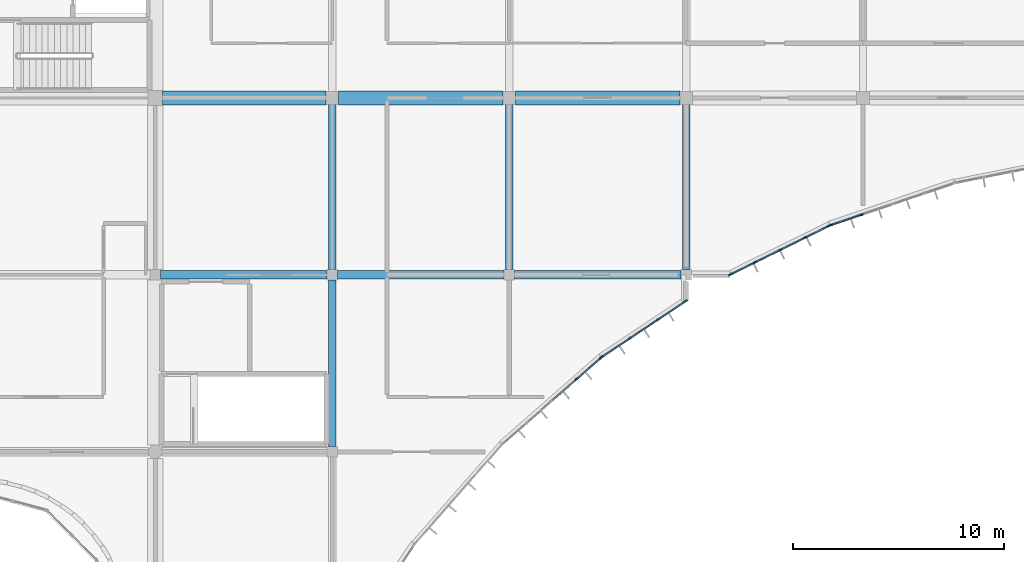
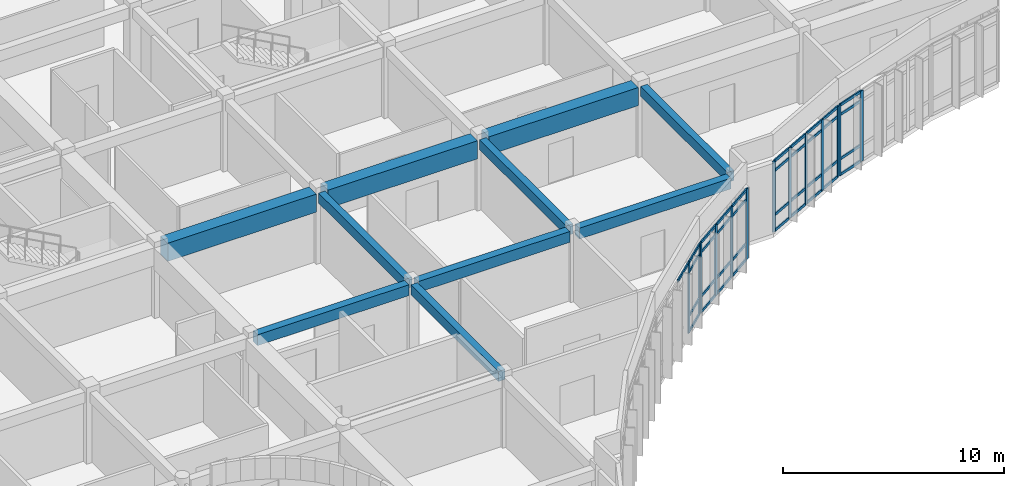
# One storey, part 50 of 119: 50 members, 10 beams, 4 elements without a shape of their own.
"""IFC4 building model written with IfcOpenShell, lengths in metres."""

from ifc_helpers import new_model, si_unit, direction, frame, origin, origin_2d, place, context, subcontext, project, spatial, rectangle, extrude, material, layer, layer_set, material_profile, profile_set, type_object, element, aggregate, save


model = new_model("IFC4")

# Units and contexts
model_context = context("Model", 3, precision=1e-05, world=origin(), true_north=direction((0.0, 1.0)))
body_context = subcontext(model_context, "Body", "Model", "MODEL_VIEW")
ifc_project = project(units=[si_unit("LENGTHUNIT", "METRE"), si_unit("AREAUNIT", "SQUARE_METRE"), si_unit("VOLUMEUNIT", "CUBIC_METRE"), si_unit("PLANEANGLEUNIT", "RADIAN"), si_unit("MASSUNIT", "GRAM", prefix="KILO")], contexts=[model_context])

# Site, building, storey
site_placement = place(None, origin())
site = spatial("IfcSite", under=ifc_project, at=site_placement, CompositionType="ELEMENT")
building_placement = place(site_placement, origin())
building = spatial("IfcBuilding", under=site, at=building_placement, Name="Bramfleet General Hospital", CompositionType="ELEMENT")
storey_placement = place(building_placement, frame((0.0, 0.0, 14.39990234375)))
storey = spatial("IfcBuildingStorey", under=building, at=storey_placement, Name="L03", CompositionType="ELEMENT", Elevation=14.39990234375)

# Beams
ifc_material_1 = material(Name="Concrete C35/45", Category="concrete")
ifc_material_profile_1 = material_profile(ifc_material_1, rectangle(XDim=0.35009765625, YDim=0.550048828125, at=origin_2d()), Name="RC BM 550x350")
ifc_profile_set_1 = profile_set([ifc_material_profile_1], Name="Concrete C35/45")
beam_type_1 = type_object("IfcBeamType", Name="BM-RC550", PredefinedType="BEAM", material=ifc_profile_set_1)
beam_1_placement = place(storey_placement, frame((134.39990234375, 75.85009765625, 3.625), z_axis=(0.0, 1.0, 0.0), x_axis=(-1.0, 0.0, 0.0)))
element("IfcBeam", 1, at=beam_1_placement, inside=storey, type_object=beam_type_1, Name="L03 Grid Beam Y 16-09", PredefinedType="BEAM", context=body_context, shape_type="SweptSolid", body=[
    extrude(rectangle(XDim=0.35009765625, YDim=0.550048828125, at=origin_2d()), origin(), (0.0, 0.0, 1.0), 7.89990234375),
])
for number, where, z_axis, x_axis, name in (
    (2, (134.39990234375, 84.25, 3.625), (0.0, 1.0, 0.0), (-1.0, 0.0, 0.0), "L03 Grid Beam Y 16-10"),
    (3, (142.800048828125, 84.25, 3.625), (0.0, 1.0, 0.0), (-1.0, 0.0, 0.0), "L03 Grid Beam Y 17-10"),
    (4, (151.199951171875, 84.25, 3.625), (0.0, 1.0, 0.0), (-1.0, 0.0, 0.0), "L03 Grid Beam Y 18-10"),
):
    element("IfcBeam", number, at=place(storey_placement, frame(where, z_axis=z_axis, x_axis=x_axis)), inside=storey, type_object=beam_type_1, Name=name, PredefinedType="BEAM", context=body_context, shape_type="SweptSolid", body=[
        extrude(rectangle(XDim=0.35009765625, YDim=0.550048828125, at=origin_2d()), origin(), (0.0, 0.0, 1.0), 7.85009765625),
    ])
ifc_material_profile_2 = material_profile(ifc_material_1, rectangle(XDim=0.39990234375, YDim=0.60009765625, at=origin_2d()), Name="RC BM 600x400")
ifc_profile_set_2 = profile_set([ifc_material_profile_2], Name="Concrete C35/45")
beam_type_2 = type_object("IfcBeamType", Name="BM-RC600", PredefinedType="BEAM", material=ifc_profile_set_2)
beam_2_placement = place(storey_placement, frame((126.25, 84.0, 3.60009765625), z_axis=(1.0, 0.0, 0.0), x_axis=(0.0, 1.0, 0.0)))
element("IfcBeam", 5, at=beam_2_placement, inside=storey, type_object=beam_type_2, Name="L03 Grid Beam X 15-10", PredefinedType="BEAM", context=body_context, shape_type="SweptSolid", body=[
    extrude(rectangle(XDim=0.39990234375, YDim=0.60009765625, at=origin_2d()), origin(), (0.0, 0.0, 1.0), 7.89990234375),
])
beam_3_placement = place(storey_placement, frame((134.64990234375, 84.0, 3.60009765625), z_axis=(1.0, 0.0, 0.0), x_axis=(0.0, 1.0, 0.0)))
element("IfcBeam", 6, at=beam_3_placement, inside=storey, type_object=beam_type_2, Name="L03 Grid Beam X 16-10", PredefinedType="BEAM", context=body_context, shape_type="SweptSolid", body=[
    extrude(rectangle(XDim=0.39990234375, YDim=0.60009765625, at=origin_2d()), origin(), (0.0, 0.0, 1.0), 7.900146484375),
])
beam_4_placement = place(storey_placement, frame((143.050048828125, 84.0, 3.60009765625), z_axis=(1.0, 0.0, 0.0), x_axis=(0.0, 1.0, 0.0)))
element("IfcBeam", 7, at=beam_4_placement, inside=storey, type_object=beam_type_2, Name="L03 Grid Beam X 17-10", PredefinedType="BEAM", context=body_context, shape_type="SweptSolid", body=[
    extrude(rectangle(XDim=0.39990234375, YDim=0.60009765625, at=origin_2d()), origin(), (0.0, 0.0, 1.0), 7.89990234375),
])
ifc_material_2 = material(Name="Concrete C40/50", Category="concrete")
ifc_material_profile_3 = material_profile(ifc_material_2, rectangle(XDim=0.64990234375, YDim=1.0, at=origin_2d()), Name="RC TG 1000x650")
ifc_profile_set_3 = profile_set([ifc_material_profile_3], Name="Concrete C40/50")
beam_type_3 = type_object("IfcBeamType", Name="BM-TG1000", PredefinedType="BEAM", material=ifc_profile_set_3)
beam_5_placement = place(storey_placement, frame((126.35009765625, 92.39990234375, 3.400146484375), z_axis=(1.0, 0.0, 0.0), x_axis=(0.0, 1.0, 0.0)))
element("IfcBeam", 8, at=beam_5_placement, inside=storey, type_object=beam_type_3, Name="L03 Transfer Girder X 15-11", PredefinedType="BEAM", context=body_context, shape_type="SweptSolid", body=[
    extrude(rectangle(XDim=0.64990234375, YDim=1.0, at=origin_2d()), origin(), (0.0, 0.0, 1.0), 7.75),
])
beam_6_placement = place(storey_placement, frame((134.699951171875, 92.39990234375, 3.400146484375), z_axis=(1.0, 0.0, 0.0), x_axis=(0.0, 1.0, 0.0)))
element("IfcBeam", 9, at=beam_6_placement, inside=storey, type_object=beam_type_3, Name="L03 Transfer Girder X 16-11", PredefinedType="BEAM", context=body_context, shape_type="SweptSolid", body=[
    extrude(rectangle(XDim=0.64990234375, YDim=1.0, at=origin_2d()), origin(), (0.0, 0.0, 1.0), 7.800048828125),
])
beam_7_placement = place(storey_placement, frame((143.10009765625, 92.39990234375, 3.400146484375), z_axis=(1.0, 0.0, 0.0), x_axis=(0.0, 1.0, 0.0)))
element("IfcBeam", 10, at=beam_7_placement, inside=storey, type_object=beam_type_3, Name="L03 Transfer Girder X 17-11", PredefinedType="BEAM", context=body_context, shape_type="SweptSolid", body=[
    extrude(rectangle(XDim=0.64990234375, YDim=1.0, at=origin_2d()), origin(), (0.0, 0.0, 1.0), 7.7998046875),
])

# Curtain wall, members
ifc_material_3 = material(Name="Anodised aluminium and low-E triple glazing", Category="aluminium")
ifc_layer_1 = layer(ifc_material_3, 0.179931640625, Name="CWT-CW-08")
ifc_layer_set_1 = layer_set([ifc_layer_1], Name="Anodised aluminium and low-E triple glazing")
curtain_wall_type_1 = type_object("IfcCurtainWallType", Name="CWT-CW-08", PredefinedType="USERDEFINED", material=ifc_layer_set_1)
curtain_wall_1_placement = place(storey_placement, origin())
curtain_wall_1 = element("IfcCurtainWall", 11, at=curtain_wall_1_placement, inside=storey, type_object=curtain_wall_type_1, Name="L03 Curtain Wall 152", ObjectType="Unitised curtain wall", PredefinedType="USERDEFINED")
ifc_material_4 = material(Name="Structural timber GL28h", Category="wood")
ifc_material_profile_4 = material_profile(ifc_material_4, rectangle(XDim=0.070068359375, YDim=0.18994140625, at=origin_2d()), Name="LARCH 190x70")
ifc_profile_set_4 = profile_set([ifc_material_profile_4], Name="Structural timber GL28h")
member_type_1 = type_object("IfcMemberType", Name="CWM-LARCH450", PredefinedType="MULLION", material=ifc_profile_set_4)
member_1_placement = place(storey_placement, frame((159.517578125, 86.8505859375, 0.0), z_axis=(0.0, 0.0, 1.0), x_axis=(0.321383054181, -0.946949276617, 0.0)))
member_1 = element("IfcMember", 12, at=member_1_placement, type_object=member_type_1, Name="CW-08 mullion 4", PredefinedType="MULLION", context=body_context, shape_type="SweptSolid", body=[
    extrude(rectangle(XDim=0.070068359375, YDim=0.18994140625, at=origin_2d()), origin(), (0.0, 0.0, 1.0), 3.89013671875),
])
member_2_placement = place(storey_placement, frame((158.064208984375, 86.357177734375, 0.0), z_axis=(0.0, 0.0, 1.0), x_axis=(0.321383054181, -0.946949276617, 0.0)))
member_2 = element("IfcMember", 13, at=member_2_placement, type_object=member_type_1, Name="CW-08 mullion 5", PredefinedType="MULLION", context=body_context, shape_type="SweptSolid", body=[
    extrude(rectangle(XDim=0.070068359375, YDim=0.18994140625, at=origin_2d()), origin(), (0.0, 0.0, 1.0), 3.89013671875),
])

ifc_layer_2 = layer(ifc_material_3, 0.179931640625, Name="CWT-CW-09")
ifc_layer_set_2 = layer_set([ifc_layer_2], Name="Anodised aluminium and low-E triple glazing")
curtain_wall_type_2 = type_object("IfcCurtainWallType", Name="CWT-CW-09", PredefinedType="USERDEFINED", material=ifc_layer_set_2)
curtain_wall_2_placement = place(storey_placement, origin())
curtain_wall_2 = element("IfcCurtainWall", 14, at=curtain_wall_2_placement, inside=storey, type_object=curtain_wall_type_2, Name="L03 Curtain Wall 153", ObjectType="Unitised curtain wall", PredefinedType="USERDEFINED")
member_3_placement = place(storey_placement, frame((157.99951171875, 86.33056640625, 0.0), z_axis=(0.0, 0.0, 1.0), x_axis=(0.442304948782, -0.896864723513, 0.0)))
member_3 = element("IfcMember", 15, at=member_3_placement, type_object=member_type_1, Name="CW-09 mullion 1", PredefinedType="MULLION", context=body_context, shape_type="SweptSolid", body=[
    extrude(rectangle(XDim=0.070068359375, YDim=0.18994140625, at=origin_2d()), origin(), (0.0, 0.0, 1.0), 3.89013671875),
])
member_4_placement = place(storey_placement, frame((156.841796875, 85.759521484375, 0.0), z_axis=(0.0, 0.0, 1.0), x_axis=(0.442304948782, -0.896864723513, 0.0)))
member_4 = element("IfcMember", 16, at=member_4_placement, type_object=member_type_1, Name="CW-09 mullion 2", PredefinedType="MULLION", context=body_context, shape_type="SweptSolid", body=[
    extrude(rectangle(XDim=0.070068359375, YDim=0.18994140625, at=origin_2d()), origin(), (0.0, 0.0, 1.0), 3.89013671875),
])
member_5_placement = place(storey_placement, frame((155.652587890625, 85.173095703125, 0.0), z_axis=(0.0, 0.0, 1.0), x_axis=(0.442304948782, -0.896864723513, 0.0)))
member_5 = element("IfcMember", 17, at=member_5_placement, type_object=member_type_1, Name="CW-09 mullion 3", PredefinedType="MULLION", context=body_context, shape_type="SweptSolid", body=[
    extrude(rectangle(XDim=0.070068359375, YDim=0.18994140625, at=origin_2d()), origin(), (0.0, 0.0, 1.0), 3.89013671875),
])
member_6_placement = place(storey_placement, frame((154.463134765625, 84.58642578125, 0.0), z_axis=(0.0, 0.0, 1.0), x_axis=(0.442304948782, -0.896864723513, 0.0)))
member_6 = element("IfcMember", 18, at=member_6_placement, type_object=member_type_1, Name="CW-09 mullion 4", PredefinedType="MULLION", context=body_context, shape_type="SweptSolid", body=[
    extrude(rectangle(XDim=0.070068359375, YDim=0.18994140625, at=origin_2d()), origin(), (0.0, 0.0, 1.0), 3.89013671875),
])
member_7_placement = place(storey_placement, frame((153.305419921875, 84.015380859375, 0.0), z_axis=(0.0, 0.0, 1.0), x_axis=(0.442304948782, -0.896864723513, 0.0)))
member_7 = element("IfcMember", 19, at=member_7_placement, type_object=member_type_1, Name="CW-09 mullion 5", PredefinedType="MULLION", context=body_context, shape_type="SweptSolid", body=[
    extrude(rectangle(XDim=0.070068359375, YDim=0.18994140625, at=origin_2d()), origin(), (0.0, 0.0, 1.0), 3.89013671875),
])

ifc_layer_3 = layer(ifc_material_3, 0.179931640625, Name="CWT-CW-10")
ifc_layer_set_3 = layer_set([ifc_layer_3], Name="Anodised aluminium and low-E triple glazing")
curtain_wall_type_3 = type_object("IfcCurtainWallType", Name="CWT-CW-10", PredefinedType="USERDEFINED", material=ifc_layer_set_3)
curtain_wall_3_placement = place(storey_placement, origin())
curtain_wall_3 = element("IfcCurtainWall", 20, at=curtain_wall_3_placement, inside=storey, type_object=curtain_wall_type_3, Name="L03 Curtain Wall 154", ObjectType="Stick curtain wall", PredefinedType="USERDEFINED")
member_8_placement = place(storey_placement, frame((151.1708984375, 82.74755859375, 0.0), z_axis=(0.0, 0.0, 1.0), x_axis=(0.555463530135, -0.831540898988, 0.0)))
member_8 = element("IfcMember", 21, at=member_8_placement, type_object=member_type_1, Name="CW-10 mullion 1", PredefinedType="MULLION", context=body_context, shape_type="SweptSolid", body=[
    extrude(rectangle(XDim=0.070068359375, YDim=0.18994140625, at=origin_2d()), origin(), (0.0, 0.0, 1.0), 3.89013671875),
])
member_9_placement = place(storey_placement, frame((149.859619140625, 81.87158203125, 0.0), z_axis=(0.0, 0.0, 1.0), x_axis=(0.555463530135, -0.831540898988, 0.0)))
member_9 = element("IfcMember", 22, at=member_9_placement, type_object=member_type_1, Name="CW-10 mullion 2", PredefinedType="MULLION", context=body_context, shape_type="SweptSolid", body=[
    extrude(rectangle(XDim=0.070068359375, YDim=0.18994140625, at=origin_2d()), origin(), (0.0, 0.0, 1.0), 3.89013671875),
])
member_10_placement = place(storey_placement, frame((148.519287109375, 80.976318359375, 0.0), z_axis=(0.0, 0.0, 1.0), x_axis=(0.555463530135, -0.831540898988, 0.0)))
member_10 = element("IfcMember", 23, at=member_10_placement, type_object=member_type_1, Name="CW-10 mullion 3", PredefinedType="MULLION", context=body_context, shape_type="SweptSolid", body=[
    extrude(rectangle(XDim=0.070068359375, YDim=0.18994140625, at=origin_2d()), origin(), (0.0, 0.0, 1.0), 3.89013671875),
])
member_11_placement = place(storey_placement, frame((147.2080078125, 80.100341796875, 0.0), z_axis=(0.0, 0.0, 1.0), x_axis=(0.555463530135, -0.831540898988, 0.0)))
member_11 = element("IfcMember", 24, at=member_11_placement, type_object=member_type_1, Name="CW-10 mullion 4", PredefinedType="MULLION", context=body_context, shape_type="SweptSolid", body=[
    extrude(rectangle(XDim=0.070068359375, YDim=0.18994140625, at=origin_2d()), origin(), (0.0, 0.0, 1.0), 3.89013671875),
])

ifc_layer_4 = layer(ifc_material_3, 0.179931640625, Name="CWT-CW-11")
ifc_layer_set_4 = layer_set([ifc_layer_4], Name="Anodised aluminium and low-E triple glazing")
curtain_wall_type_4 = type_object("IfcCurtainWallType", Name="CWT-CW-11", PredefinedType="USERDEFINED", material=ifc_layer_set_4)
curtain_wall_4_placement = place(storey_placement, origin())
curtain_wall_4 = element("IfcCurtainWall", 25, at=curtain_wall_4_placement, inside=storey, type_object=curtain_wall_type_4, Name="L03 Curtain Wall 155", ObjectType="Stick curtain wall", PredefinedType="USERDEFINED")
member_12_placement = place(storey_placement, frame((147.152587890625, 80.057861328125, 0.0), z_axis=(0.0, 0.0, 1.0), x_axis=(0.659406233864, -0.75178681735, 0.0)))
member_12 = element("IfcMember", 26, at=member_12_placement, type_object=member_type_1, Name="CW-11 mullion 1", PredefinedType="MULLION", context=body_context, shape_type="SweptSolid", body=[
    extrude(rectangle(XDim=0.070068359375, YDim=0.18994140625, at=origin_2d()), origin(), (0.0, 0.0, 1.0), 3.89013671875),
])
member_13_placement = place(storey_placement, frame((145.9990234375, 79.0458984375, 0.0), z_axis=(0.0, 0.0, 1.0), x_axis=(0.659406233864, -0.75178681735, 0.0)))
member_13 = element("IfcMember", 27, at=member_13_placement, type_object=member_type_1, Name="CW-11 mullion 2", PredefinedType="MULLION", context=body_context, shape_type="SweptSolid", body=[
    extrude(rectangle(XDim=0.070068359375, YDim=0.18994140625, at=origin_2d()), origin(), (0.0, 0.0, 1.0), 3.89013671875),
])

# Member
ifc_material_profile_5 = material_profile(ifc_material_4, rectangle(XDim=0.06494140625, YDim=0.14990234375, at=origin_2d()), Name="LARCH 150x65")
ifc_profile_set_5 = profile_set([ifc_material_profile_5], Name="Structural timber GL28h")
member_type_2 = type_object("IfcMemberType", Name="CWT-LARCH220", PredefinedType="USERDEFINED", material=ifc_profile_set_5)
member_14_placement = place(storey_placement, frame((159.484375, 86.83935546875, 0.03271484375), z_axis=(-0.946918923538, -0.321472475098, 0.0), x_axis=(0.321472475098, -0.946918923538, 0.0)))
member_14 = element("IfcMember", 28, at=member_14_placement, type_object=member_type_2, Name="CW-08 transom 4.1", ObjectType="TRANSOM", PredefinedType="USERDEFINED", context=body_context, shape_type="SweptSolid", body=[
    extrude(rectangle(XDim=0.06494140625, YDim=0.14990234375, at=origin_2d()), origin(), (0.0, 0.0, 1.0), 1.465087890625),
])

member_15_placement = place(storey_placement, frame((159.484375, 86.83935546875, 0.900146484375), z_axis=(-0.946918923538, -0.321472475098, 0.0), x_axis=(0.321472475098, -0.946918923538, 0.0)))
member_15 = element("IfcMember", 29, at=member_15_placement, type_object=member_type_2, Name="CW-08 transom 4.2", ObjectType="TRANSOM", PredefinedType="USERDEFINED", context=body_context, shape_type="SweptSolid", body=[
    extrude(rectangle(XDim=0.06494140625, YDim=0.14990234375, at=origin_2d()), origin(), (0.0, 0.0, 1.0), 1.465087890625),
])

member_16_placement = place(storey_placement, frame((159.484375, 86.83935546875, 3.340087890625), z_axis=(-0.946918923538, -0.321472475098, 0.0), x_axis=(0.321472475098, -0.946918923538, 0.0)))
member_16 = element("IfcMember", 30, at=member_16_placement, type_object=member_type_2, Name="CW-08 transom 4.3", ObjectType="TRANSOM", PredefinedType="USERDEFINED", context=body_context, shape_type="SweptSolid", body=[
    extrude(rectangle(XDim=0.06494140625, YDim=0.14990234375, at=origin_2d()), origin(), (0.0, 0.0, 1.0), 1.465087890625),
])

member_17_placement = place(storey_placement, frame((159.484375, 86.83935546875, 3.857666015625), z_axis=(-0.946918923538, -0.321472475098, 0.0), x_axis=(0.321472475098, -0.946918923538, 0.0)))
member_17 = element("IfcMember", 31, at=member_17_placement, type_object=member_type_2, Name="CW-08 transom 4.4", ObjectType="TRANSOM", PredefinedType="USERDEFINED", context=body_context, shape_type="SweptSolid", body=[
    extrude(rectangle(XDim=0.06494140625, YDim=0.14990234375, at=origin_2d()), origin(), (0.0, 0.0, 1.0), 1.465087890625),
])

aggregate(curtain_wall_1, [member_1, member_2, member_14, member_15, member_16, member_17])

member_18_placement = place(storey_placement, frame((157.96826171875, 86.31494140625, 0.03271484375), z_axis=(-0.896892597897, -0.442248423216, 0.0), x_axis=(0.442248423216, -0.896892597897, 0.0)))
member_18 = element("IfcMember", 32, at=member_18_placement, type_object=member_type_2, Name="CW-09 transom 1.1", ObjectType="TRANSOM", PredefinedType="USERDEFINED", context=body_context, shape_type="SweptSolid", body=[
    extrude(rectangle(XDim=0.06494140625, YDim=0.14990234375, at=origin_2d()), origin(), (0.0, 0.0, 1.0), 1.22119140625),
])

member_19_placement = place(storey_placement, frame((157.96826171875, 86.31494140625, 0.900146484375), z_axis=(-0.896892597897, -0.442248423216, 0.0), x_axis=(0.442248423216, -0.896892597897, 0.0)))
member_19 = element("IfcMember", 33, at=member_19_placement, type_object=member_type_2, Name="CW-09 transom 1.2", ObjectType="TRANSOM", PredefinedType="USERDEFINED", context=body_context, shape_type="SweptSolid", body=[
    extrude(rectangle(XDim=0.06494140625, YDim=0.14990234375, at=origin_2d()), origin(), (0.0, 0.0, 1.0), 1.22119140625),
])

member_20_placement = place(storey_placement, frame((157.96826171875, 86.31494140625, 3.340087890625), z_axis=(-0.896892597897, -0.442248423216, 0.0), x_axis=(0.442248423216, -0.896892597897, 0.0)))
member_20 = element("IfcMember", 34, at=member_20_placement, type_object=member_type_2, Name="CW-09 transom 1.3", ObjectType="TRANSOM", PredefinedType="USERDEFINED", context=body_context, shape_type="SweptSolid", body=[
    extrude(rectangle(XDim=0.06494140625, YDim=0.14990234375, at=origin_2d()), origin(), (0.0, 0.0, 1.0), 1.22119140625),
])

member_21_placement = place(storey_placement, frame((157.96826171875, 86.31494140625, 3.857666015625), z_axis=(-0.896892597897, -0.442248423216, 0.0), x_axis=(0.442248423216, -0.896892597897, 0.0)))
member_21 = element("IfcMember", 35, at=member_21_placement, type_object=member_type_2, Name="CW-09 transom 1.4", ObjectType="TRANSOM", PredefinedType="USERDEFINED", context=body_context, shape_type="SweptSolid", body=[
    extrude(rectangle(XDim=0.06494140625, YDim=0.14990234375, at=origin_2d()), origin(), (0.0, 0.0, 1.0), 1.22119140625),
])

member_22_placement = place(storey_placement, frame((156.810302734375, 85.744140625, 0.03271484375), z_axis=(-0.896824392797, -0.44238671825, 0.0), x_axis=(0.44238671825, -0.896824392797, 0.0)))
member_22 = element("IfcMember", 36, at=member_22_placement, type_object=member_type_2, Name="CW-09 transom 2.1", ObjectType="TRANSOM", PredefinedType="USERDEFINED", context=body_context, shape_type="SweptSolid", body=[
    extrude(rectangle(XDim=0.06494140625, YDim=0.14990234375, at=origin_2d()), origin(), (0.0, 0.0, 1.0), 1.256103515625),
])

member_23_placement = place(storey_placement, frame((156.810302734375, 85.744140625, 0.900146484375), z_axis=(-0.896824392797, -0.44238671825, 0.0), x_axis=(0.44238671825, -0.896824392797, 0.0)))
member_23 = element("IfcMember", 37, at=member_23_placement, type_object=member_type_2, Name="CW-09 transom 2.2", ObjectType="TRANSOM", PredefinedType="USERDEFINED", context=body_context, shape_type="SweptSolid", body=[
    extrude(rectangle(XDim=0.06494140625, YDim=0.14990234375, at=origin_2d()), origin(), (0.0, 0.0, 1.0), 1.256103515625),
])

member_24_placement = place(storey_placement, frame((156.810302734375, 85.744140625, 3.340087890625), z_axis=(-0.896824392797, -0.44238671825, 0.0), x_axis=(0.44238671825, -0.896824392797, 0.0)))
member_24 = element("IfcMember", 38, at=member_24_placement, type_object=member_type_2, Name="CW-09 transom 2.3", ObjectType="TRANSOM", PredefinedType="USERDEFINED", context=body_context, shape_type="SweptSolid", body=[
    extrude(rectangle(XDim=0.06494140625, YDim=0.14990234375, at=origin_2d()), origin(), (0.0, 0.0, 1.0), 1.256103515625),
])

member_25_placement = place(storey_placement, frame((156.810302734375, 85.744140625, 3.857666015625), z_axis=(-0.896824392797, -0.44238671825, 0.0), x_axis=(0.44238671825, -0.896824392797, 0.0)))
member_25 = element("IfcMember", 39, at=member_25_placement, type_object=member_type_2, Name="CW-09 transom 2.4", ObjectType="TRANSOM", PredefinedType="USERDEFINED", context=body_context, shape_type="SweptSolid", body=[
    extrude(rectangle(XDim=0.06494140625, YDim=0.14990234375, at=origin_2d()), origin(), (0.0, 0.0, 1.0), 1.256103515625),
])

member_26_placement = place(storey_placement, frame((155.62109375, 85.157470703125, 0.03271484375), z_axis=(-0.89690150088, -0.442230367252, 0.0), x_axis=(0.442230367252, -0.89690150088, 0.0)))
member_26 = element("IfcMember", 40, at=member_26_placement, type_object=member_type_2, Name="CW-09 transom 3.1", ObjectType="TRANSOM", PredefinedType="USERDEFINED", context=body_context, shape_type="SweptSolid", body=[
    extrude(rectangle(XDim=0.06494140625, YDim=0.14990234375, at=origin_2d()), origin(), (0.0, 0.0, 1.0), 1.255859375),
])

member_27_placement = place(storey_placement, frame((155.62109375, 85.157470703125, 0.900146484375), z_axis=(-0.89690150088, -0.442230367252, 0.0), x_axis=(0.442230367252, -0.89690150088, 0.0)))
member_27 = element("IfcMember", 41, at=member_27_placement, type_object=member_type_2, Name="CW-09 transom 3.2", ObjectType="TRANSOM", PredefinedType="USERDEFINED", context=body_context, shape_type="SweptSolid", body=[
    extrude(rectangle(XDim=0.06494140625, YDim=0.14990234375, at=origin_2d()), origin(), (0.0, 0.0, 1.0), 1.255859375),
])

member_28_placement = place(storey_placement, frame((155.62109375, 85.157470703125, 3.340087890625), z_axis=(-0.89690150088, -0.442230367252, 0.0), x_axis=(0.442230367252, -0.89690150088, 0.0)))
member_28 = element("IfcMember", 42, at=member_28_placement, type_object=member_type_2, Name="CW-09 transom 3.3", ObjectType="TRANSOM", PredefinedType="USERDEFINED", context=body_context, shape_type="SweptSolid", body=[
    extrude(rectangle(XDim=0.06494140625, YDim=0.14990234375, at=origin_2d()), origin(), (0.0, 0.0, 1.0), 1.255859375),
])

member_29_placement = place(storey_placement, frame((155.62109375, 85.157470703125, 3.857666015625), z_axis=(-0.89690150088, -0.442230367252, 0.0), x_axis=(0.442230367252, -0.89690150088, 0.0)))
member_29 = element("IfcMember", 43, at=member_29_placement, type_object=member_type_2, Name="CW-09 transom 3.4", ObjectType="TRANSOM", PredefinedType="USERDEFINED", context=body_context, shape_type="SweptSolid", body=[
    extrude(rectangle(XDim=0.06494140625, YDim=0.14990234375, at=origin_2d()), origin(), (0.0, 0.0, 1.0), 1.255859375),
])

member_30_placement = place(storey_placement, frame((154.431884765625, 84.571044921875, 0.03271484375), z_axis=(-0.896892597897, -0.442248423216, 0.0), x_axis=(0.442248423216, -0.896892597897, 0.0)))
member_30 = element("IfcMember", 44, at=member_30_placement, type_object=member_type_2, Name="CW-09 transom 4.1", ObjectType="TRANSOM", PredefinedType="USERDEFINED", context=body_context, shape_type="SweptSolid", body=[
    extrude(rectangle(XDim=0.06494140625, YDim=0.14990234375, at=origin_2d()), origin(), (0.0, 0.0, 1.0), 1.22119140625),
])

member_31_placement = place(storey_placement, frame((154.431884765625, 84.571044921875, 0.900146484375), z_axis=(-0.896892597897, -0.442248423216, 0.0), x_axis=(0.442248423216, -0.896892597897, 0.0)))
member_31 = element("IfcMember", 45, at=member_31_placement, type_object=member_type_2, Name="CW-09 transom 4.2", ObjectType="TRANSOM", PredefinedType="USERDEFINED", context=body_context, shape_type="SweptSolid", body=[
    extrude(rectangle(XDim=0.06494140625, YDim=0.14990234375, at=origin_2d()), origin(), (0.0, 0.0, 1.0), 1.22119140625),
])

member_32_placement = place(storey_placement, frame((154.431884765625, 84.571044921875, 3.340087890625), z_axis=(-0.896892597897, -0.442248423216, 0.0), x_axis=(0.442248423216, -0.896892597897, 0.0)))
member_32 = element("IfcMember", 46, at=member_32_placement, type_object=member_type_2, Name="CW-09 transom 4.3", ObjectType="TRANSOM", PredefinedType="USERDEFINED", context=body_context, shape_type="SweptSolid", body=[
    extrude(rectangle(XDim=0.06494140625, YDim=0.14990234375, at=origin_2d()), origin(), (0.0, 0.0, 1.0), 1.22119140625),
])

member_33_placement = place(storey_placement, frame((154.431884765625, 84.571044921875, 3.857666015625), z_axis=(-0.896892597897, -0.442248423216, 0.0), x_axis=(0.442248423216, -0.896892597897, 0.0)))
member_33 = element("IfcMember", 47, at=member_33_placement, type_object=member_type_2, Name="CW-09 transom 4.4", ObjectType="TRANSOM", PredefinedType="USERDEFINED", context=body_context, shape_type="SweptSolid", body=[
    extrude(rectangle(XDim=0.06494140625, YDim=0.14990234375, at=origin_2d()), origin(), (0.0, 0.0, 1.0), 1.22119140625),
])

aggregate(curtain_wall_2, [member_3, member_4, member_5, member_6, member_7, member_18, member_19, member_20, member_21, member_22, member_23, member_24, member_25, member_26, member_27, member_28, member_29, member_30, member_31, member_32, member_33])

member_34_placement = place(storey_placement, frame((151.141845703125, 82.72802734375, 0.03271484375), z_axis=(-0.831601376927, -0.555372982682, 0.0), x_axis=(0.555372982682, -0.831601376927, 0.0)))
member_34 = element("IfcMember", 48, at=member_34_placement, type_object=member_type_2, Name="CW-10 transom 1.1", ObjectType="TRANSOM", PredefinedType="USERDEFINED", context=body_context, shape_type="SweptSolid", body=[
    extrude(rectangle(XDim=0.06494140625, YDim=0.14990234375, at=origin_2d()), origin(), (0.0, 0.0, 1.0), 1.5068359375),
])

member_35_placement = place(storey_placement, frame((151.141845703125, 82.72802734375, 0.900146484375), z_axis=(-0.831601376927, -0.555372982682, 0.0), x_axis=(0.555372982682, -0.831601376927, 0.0)))
member_35 = element("IfcMember", 49, at=member_35_placement, type_object=member_type_2, Name="CW-10 transom 1.2", ObjectType="TRANSOM", PredefinedType="USERDEFINED", context=body_context, shape_type="SweptSolid", body=[
    extrude(rectangle(XDim=0.06494140625, YDim=0.14990234375, at=origin_2d()), origin(), (0.0, 0.0, 1.0), 1.5068359375),
])

member_36_placement = place(storey_placement, frame((151.141845703125, 82.72802734375, 3.340087890625), z_axis=(-0.831601376927, -0.555372982682, 0.0), x_axis=(0.555372982682, -0.831601376927, 0.0)))
member_36 = element("IfcMember", 50, at=member_36_placement, type_object=member_type_2, Name="CW-10 transom 1.3", ObjectType="TRANSOM", PredefinedType="USERDEFINED", context=body_context, shape_type="SweptSolid", body=[
    extrude(rectangle(XDim=0.06494140625, YDim=0.14990234375, at=origin_2d()), origin(), (0.0, 0.0, 1.0), 1.5068359375),
])

member_37_placement = place(storey_placement, frame((151.141845703125, 82.72802734375, 3.857666015625), z_axis=(-0.831601376927, -0.555372982682, 0.0), x_axis=(0.555372982682, -0.831601376927, 0.0)))
member_37 = element("IfcMember", 51, at=member_37_placement, type_object=member_type_2, Name="CW-10 transom 1.4", ObjectType="TRANSOM", PredefinedType="USERDEFINED", context=body_context, shape_type="SweptSolid", body=[
    extrude(rectangle(XDim=0.06494140625, YDim=0.14990234375, at=origin_2d()), origin(), (0.0, 0.0, 1.0), 1.5068359375),
])

member_38_placement = place(storey_placement, frame((149.83056640625, 81.852294921875, 0.03271484375), z_axis=(-0.831562796213, -0.555430748118, 0.0), x_axis=(0.555430748118, -0.831562796213, 0.0)))
member_38 = element("IfcMember", 52, at=member_38_placement, type_object=member_type_2, Name="CW-10 transom 2.1", ObjectType="TRANSOM", PredefinedType="USERDEFINED", context=body_context, shape_type="SweptSolid", body=[
    extrude(rectangle(XDim=0.06494140625, YDim=0.14990234375, at=origin_2d()), origin(), (0.0, 0.0, 1.0), 1.5419921875),
])

member_39_placement = place(storey_placement, frame((149.83056640625, 81.852294921875, 0.900146484375), z_axis=(-0.831562796213, -0.555430748118, 0.0), x_axis=(0.555430748118, -0.831562796213, 0.0)))
member_39 = element("IfcMember", 53, at=member_39_placement, type_object=member_type_2, Name="CW-10 transom 2.2", ObjectType="TRANSOM", PredefinedType="USERDEFINED", context=body_context, shape_type="SweptSolid", body=[
    extrude(rectangle(XDim=0.06494140625, YDim=0.14990234375, at=origin_2d()), origin(), (0.0, 0.0, 1.0), 1.5419921875),
])

member_40_placement = place(storey_placement, frame((149.83056640625, 81.852294921875, 3.340087890625), z_axis=(-0.831562796213, -0.555430748118, 0.0), x_axis=(0.555430748118, -0.831562796213, 0.0)))
member_40 = element("IfcMember", 54, at=member_40_placement, type_object=member_type_2, Name="CW-10 transom 2.3", ObjectType="TRANSOM", PredefinedType="USERDEFINED", context=body_context, shape_type="SweptSolid", body=[
    extrude(rectangle(XDim=0.06494140625, YDim=0.14990234375, at=origin_2d()), origin(), (0.0, 0.0, 1.0), 1.5419921875),
])

member_41_placement = place(storey_placement, frame((149.83056640625, 81.852294921875, 3.857666015625), z_axis=(-0.831562796213, -0.555430748118, 0.0), x_axis=(0.555430748118, -0.831562796213, 0.0)))
member_41 = element("IfcMember", 55, at=member_41_placement, type_object=member_type_2, Name="CW-10 transom 2.4", ObjectType="TRANSOM", PredefinedType="USERDEFINED", context=body_context, shape_type="SweptSolid", body=[
    extrude(rectangle(XDim=0.06494140625, YDim=0.14990234375, at=origin_2d()), origin(), (0.0, 0.0, 1.0), 1.5419921875),
])

member_42_placement = place(storey_placement, frame((148.490234375, 80.956787109375, 0.03271484375), z_axis=(-0.831551396357, -0.555447815026, 0.0), x_axis=(0.555447815026, -0.831551396357, 0.0)))
member_42 = element("IfcMember", 56, at=member_42_placement, type_object=member_type_2, Name="CW-10 transom 3.1", ObjectType="TRANSOM", PredefinedType="USERDEFINED", context=body_context, shape_type="SweptSolid", body=[
    extrude(rectangle(XDim=0.06494140625, YDim=0.14990234375, at=origin_2d()), origin(), (0.0, 0.0, 1.0), 1.5068359375),
])

member_43_placement = place(storey_placement, frame((148.490234375, 80.956787109375, 0.900146484375), z_axis=(-0.831551396357, -0.555447815026, 0.0), x_axis=(0.555447815026, -0.831551396357, 0.0)))
member_43 = element("IfcMember", 57, at=member_43_placement, type_object=member_type_2, Name="CW-10 transom 3.2", ObjectType="TRANSOM", PredefinedType="USERDEFINED", context=body_context, shape_type="SweptSolid", body=[
    extrude(rectangle(XDim=0.06494140625, YDim=0.14990234375, at=origin_2d()), origin(), (0.0, 0.0, 1.0), 1.5068359375),
])

member_44_placement = place(storey_placement, frame((148.490234375, 80.956787109375, 3.340087890625), z_axis=(-0.831551396357, -0.555447815026, 0.0), x_axis=(0.555447815026, -0.831551396357, 0.0)))
member_44 = element("IfcMember", 58, at=member_44_placement, type_object=member_type_2, Name="CW-10 transom 3.3", ObjectType="TRANSOM", PredefinedType="USERDEFINED", context=body_context, shape_type="SweptSolid", body=[
    extrude(rectangle(XDim=0.06494140625, YDim=0.14990234375, at=origin_2d()), origin(), (0.0, 0.0, 1.0), 1.5068359375),
])

member_45_placement = place(storey_placement, frame((148.490234375, 80.956787109375, 3.857666015625), z_axis=(-0.831551396357, -0.555447815026, 0.0), x_axis=(0.555447815026, -0.831551396357, 0.0)))
member_45 = element("IfcMember", 59, at=member_45_placement, type_object=member_type_2, Name="CW-10 transom 3.4", ObjectType="TRANSOM", PredefinedType="USERDEFINED", context=body_context, shape_type="SweptSolid", body=[
    extrude(rectangle(XDim=0.06494140625, YDim=0.14990234375, at=origin_2d()), origin(), (0.0, 0.0, 1.0), 1.5068359375),
])

aggregate(curtain_wall_3, [member_8, member_9, member_10, member_11, member_34, member_35, member_36, member_37, member_38, member_39, member_40, member_41, member_42, member_43, member_44, member_45])

member_46_placement = place(storey_placement, frame((147.12646484375, 80.034912109375, 0.03271484375), z_axis=(-0.75177071058, -0.659424596686, 0.0), x_axis=(0.659424596686, -0.75177071058, 0.0)))
member_46 = element("IfcMember", 60, at=member_46_placement, type_object=member_type_2, Name="CW-11 transom 1.1", ObjectType="TRANSOM", PredefinedType="USERDEFINED", context=body_context, shape_type="SweptSolid", body=[
    extrude(rectangle(XDim=0.06494140625, YDim=0.14990234375, at=origin_2d()), origin(), (0.0, 0.0, 1.0), 1.464599609375),
])

member_47_placement = place(storey_placement, frame((147.12646484375, 80.034912109375, 0.900146484375), z_axis=(-0.75177071058, -0.659424596686, 0.0), x_axis=(0.659424596686, -0.75177071058, 0.0)))
member_47 = element("IfcMember", 61, at=member_47_placement, type_object=member_type_2, Name="CW-11 transom 1.2", ObjectType="TRANSOM", PredefinedType="USERDEFINED", context=body_context, shape_type="SweptSolid", body=[
    extrude(rectangle(XDim=0.06494140625, YDim=0.14990234375, at=origin_2d()), origin(), (0.0, 0.0, 1.0), 1.464599609375),
])

member_48_placement = place(storey_placement, frame((147.12646484375, 80.034912109375, 3.340087890625), z_axis=(-0.75177071058, -0.659424596686, 0.0), x_axis=(0.659424596686, -0.75177071058, 0.0)))
member_48 = element("IfcMember", 62, at=member_48_placement, type_object=member_type_2, Name="CW-11 transom 1.3", ObjectType="TRANSOM", PredefinedType="USERDEFINED", context=body_context, shape_type="SweptSolid", body=[
    extrude(rectangle(XDim=0.06494140625, YDim=0.14990234375, at=origin_2d()), origin(), (0.0, 0.0, 1.0), 1.464599609375),
])

member_49_placement = place(storey_placement, frame((147.12646484375, 80.034912109375, 3.857666015625), z_axis=(-0.75177071058, -0.659424596686, 0.0), x_axis=(0.659424596686, -0.75177071058, 0.0)))
member_49 = element("IfcMember", 63, at=member_49_placement, type_object=member_type_2, Name="CW-11 transom 1.4", ObjectType="TRANSOM", PredefinedType="USERDEFINED", context=body_context, shape_type="SweptSolid", body=[
    extrude(rectangle(XDim=0.06494140625, YDim=0.14990234375, at=origin_2d()), origin(), (0.0, 0.0, 1.0), 1.464599609375),
])

member_50_placement = place(storey_placement, frame((145.97265625, 79.02294921875, 3.857666015625), z_axis=(-0.751829905296, -0.659357106204, 0.0), x_axis=(0.659357106204, -0.751829905296, 0.0)))
member_50 = element("IfcMember", 64, at=member_50_placement, type_object=member_type_2, Name="CW-11 transom 2.4", ObjectType="TRANSOM", PredefinedType="USERDEFINED", context=body_context, shape_type="SweptSolid", body=[
    extrude(rectangle(XDim=0.06494140625, YDim=0.14990234375, at=origin_2d()), origin(), (0.0, 0.0, 1.0), 1.49951171875),
])

aggregate(curtain_wall_4, [member_12, member_13, member_46, member_47, member_48, member_49, member_50])

save(model, "model.ifc")
